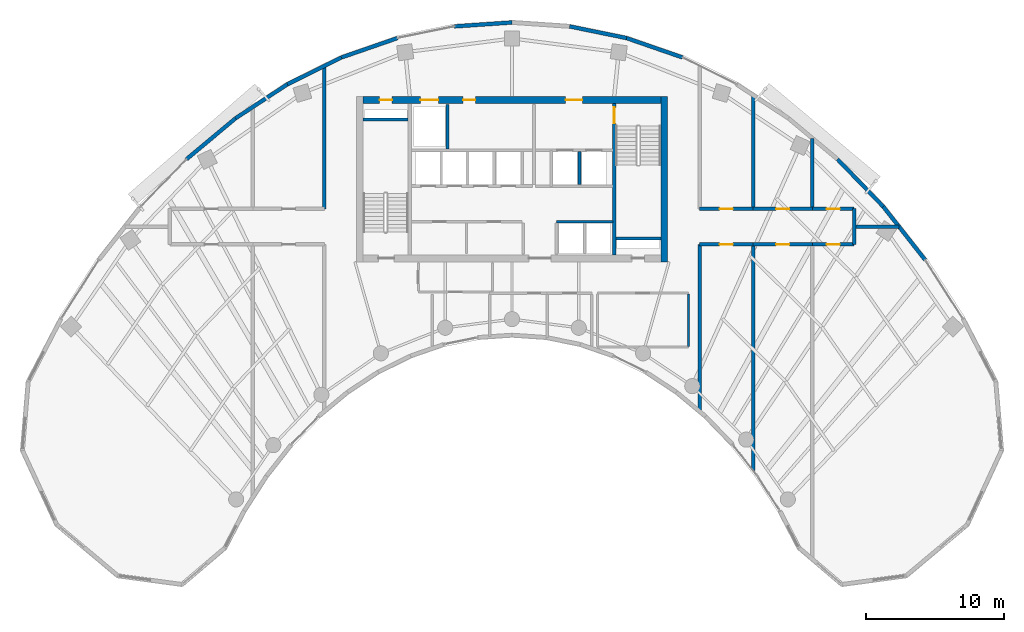
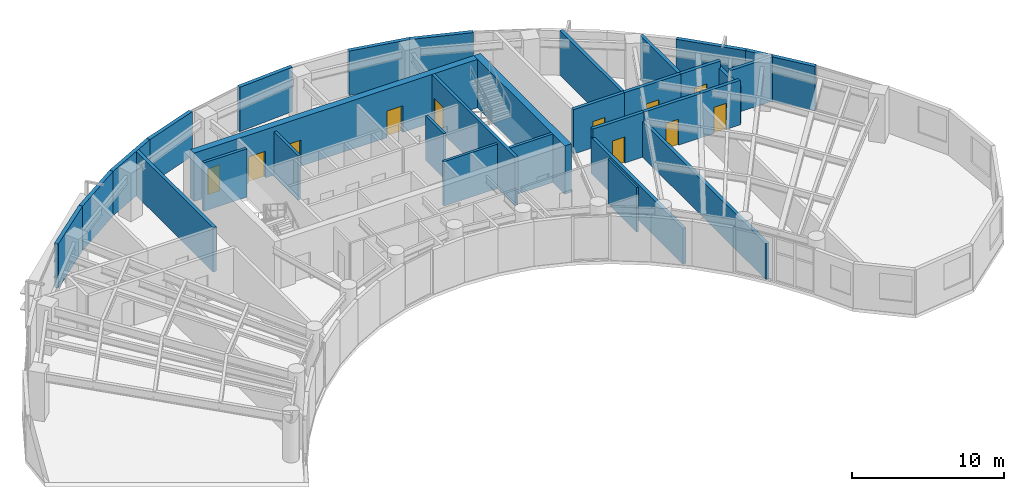
# One storey, part 10 of 13: 31 walls, 11 doors, 11 openings.
"""IFC4 building model written with IfcOpenShell, lengths in metres."""

import ifcopenshell
import ifcopenshell.guid

model = None  # the IFC model being written
_history = None  # IfcOwnerHistory: only IFC2X3 demands one
_inside = {}  # id of a spatial element -> (the spatial element, [elements in it])
_under = {}  # id of a project, library or spatial element -> (it, [spatial elements below it])
_declared = {}  # id of a project -> (the project, [libraries it declares])
_typed = {}  # id of a type object -> (the type object, [elements of that type])
_made_of = {}  # id of a material, layer set ... -> (it, [elements and type objects made of it])


def new_model(schema):
    """Start an empty IFC model of exactly this schema.

    Asked for "IFC4X3", IfcOpenShell would pick the latest addendum, in which some entities
    have other attributes; the version numbers below select the first issue.
    IFC2X3 requires an IfcOwnerHistory on every rooted entity: one is made here for all.
    """
    global model, _history
    if schema == "IFC4X3":
        model = ifcopenshell.file(schema_version=(4, 3, 0, 0))
    else:
        model = ifcopenshell.file(schema=schema)
    _inside.clear()
    _under.clear()
    _declared.clear()
    _typed.clear()
    _made_of.clear()
    _history = None
    if model.schema == "IFC2X3":
        org = make("IfcOrganization", Name="unknown")
        user = make(
            "IfcPersonAndOrganization",
            ThePerson=make("IfcPerson", FamilyName="unknown"),
            TheOrganization=org,
        )
        app = make(
            "IfcApplication",
            ApplicationDeveloper=org,
            Version="unknown",
            ApplicationFullName="unknown",
            ApplicationIdentifier="unknown",
        )
        _history = make(
            "IfcOwnerHistory",
            OwningUser=user,
            OwningApplication=app,
            ChangeAction="ADDED",
            CreationDate=0,
        )
    return model


def make(cls, **values):
    """One entity of the class cls with the attributes given. An attribute that is None is left unset."""
    return model.create_entity(
        cls, **{name: value for name, value in values.items() if value is not None}
    )


def rooted(cls, **values):
    """An entity with a GlobalId (a new one), such as an element, a storey or a relation."""
    return make(cls, GlobalId=ifcopenshell.guid.new(), OwnerHistory=_history, **values)


def si_unit(unit_type, name, prefix=None):
    """IfcSIUnit, for example si_unit("LENGTHUNIT", "METRE", prefix="MILLI")."""
    return make("IfcSIUnit", UnitType=unit_type, Prefix=prefix, Name=name)


def assignment(units):
    """IfcUnitAssignment: the units of a project."""
    return None if units is None else make("IfcUnitAssignment", Units=units)


def point(xyz):
    """IfcCartesianPoint."""
    return None if xyz is None else make("IfcCartesianPoint", Coordinates=xyz)


def direction(xyz):
    """IfcDirection."""
    return None if xyz is None else make("IfcDirection", DirectionRatios=xyz)


def frame(location, z_axis=None, x_axis=None):
    """IfcAxis2Placement3D, a coordinate frame: its origin and axes. An axis left out is left unset."""
    return make(
        "IfcAxis2Placement3D",
        Location=point(location),
        Axis=direction(z_axis),
        RefDirection=direction(x_axis),
    )


def frame_2d(location, x_axis=None):
    """IfcAxis2Placement2D, a coordinate frame in the plane: its origin and x axis."""
    return make(
        "IfcAxis2Placement2D", Location=point(location), RefDirection=direction(x_axis)
    )


def origin():
    """The frame at (0, 0, 0) with its axes left unset."""
    return frame((0.0, 0.0, 0.0))


def place(relative_to, where):
    """IfcLocalPlacement: puts the frame where relative to a parent placement (None: the world)."""
    return make(
        "IfcLocalPlacement", PlacementRelTo=relative_to, RelativePlacement=where
    )


def context(
    kind, dimensions, precision=None, world=None, true_north=None, identifier=None
):
    """IfcGeometricRepresentationContext, for example the 3D "Model" context."""
    return make(
        "IfcGeometricRepresentationContext",
        ContextIdentifier=identifier,
        ContextType=kind,
        CoordinateSpaceDimension=dimensions,
        Precision=precision,
        WorldCoordinateSystem=world,
        TrueNorth=true_north,
    )


def subcontext(parent, identifier, kind, view, scale=None):
    """IfcGeometricRepresentationSubContext, for example "Body" below "Model"."""
    return make(
        "IfcGeometricRepresentationSubContext",
        ContextIdentifier=identifier,
        ContextType=kind,
        ParentContext=parent,
        TargetScale=scale,
        TargetView=view,
    )


def project(units=None, contexts=None):
    """IfcProject with its units and contexts."""
    return rooted(
        "IfcProject",
        Name="project",
        RepresentationContexts=contexts,
        UnitsInContext=assignment(units),
    )


def spatial(cls, under=None, at=None, **own):
    """A site, building, storey or space (cls), placed at a placement, below another one or the project."""
    s = rooted(cls, ObjectPlacement=at, **own)
    if under is not None:
        _under.setdefault(under.id(), (under, []))[1].append(s)
    return s


def profile(cls, at=None, kind="AREA", **sizes):
    """A parametric profile (cls). Its sizes go by their IFC names, for example OverallWidth=200.0."""
    return make(cls, ProfileType=kind, Position=at, **sizes)


def rectangle(**sizes):
    """IfcRectangleProfileDef."""
    return profile("IfcRectangleProfileDef", **sizes)


def extrude(swept, where, along, depth):
    """IfcExtrudedAreaSolid: the profile swept, set in the frame where, extruded along a direction by depth."""
    return make(
        "IfcExtrudedAreaSolid",
        SweptArea=swept,
        Position=where,
        ExtrudedDirection=direction(along),
        Depth=depth,
    )


def shape(context_of_items, identifier, shape_type, items):
    """IfcShapeRepresentation: the items that make up one representation, for example the "Body"."""
    return make(
        "IfcShapeRepresentation",
        ContextOfItems=context_of_items,
        RepresentationIdentifier=identifier,
        RepresentationType=shape_type,
        Items=items,
    )


def source(mapping_origin, context_of_items, identifier, shape_type, items):
    """IfcRepresentationMap: a shape defined once, which mapped items show again and again."""
    return make(
        "IfcRepresentationMap",
        MappingOrigin=mapping_origin,
        MappedRepresentation=shape(context_of_items, identifier, shape_type, items),
    )


def transform(
    local_origin,
    x_axis=None,
    y_axis=None,
    z_axis=None,
    scale=None,
    scale2=None,
    scale3=None,
    uniform=True,
):
    """IfcCartesianTransformationOperator3D, or its non-uniform kind. x_axis, y_axis, z_axis: its Axis1, 2, 3."""
    if uniform:
        return make(
            "IfcCartesianTransformationOperator3D",
            Axis1=direction(x_axis),
            Axis2=direction(y_axis),
            LocalOrigin=point(local_origin),
            Scale=scale,
            Axis3=direction(z_axis),
        )
    return make(
        "IfcCartesianTransformationOperator3DnonUniform",
        Axis1=direction(x_axis),
        Axis2=direction(y_axis),
        LocalOrigin=point(local_origin),
        Scale=scale,
        Axis3=direction(z_axis),
        Scale2=scale2,
        Scale3=scale3,
    )


def mapped(mapping_source, mapping_target):
    """IfcMappedItem: shows the shape of a source again, moved by a transform."""
    return make(
        "IfcMappedItem", MappingSource=mapping_source, MappingTarget=mapping_target
    )


def material(Name=None, Category=None):
    """IfcMaterial."""
    return make("IfcMaterial", Name=Name, Category=Category)


def layer(
    of_material, thickness, ventilated=None, Name=None, Category=None, Priority=None
):
    """IfcMaterialLayer: one layer of a wall or slab, of a material (None: an air gap)."""
    return make(
        "IfcMaterialLayer",
        Material=of_material,
        LayerThickness=thickness,
        IsVentilated=ventilated,
        Name=Name,
        Category=Category,
        Priority=Priority,
    )


def layer_set(layers, Name=None):
    """IfcMaterialLayerSet."""
    return make("IfcMaterialLayerSet", MaterialLayers=layers, LayerSetName=Name)


def made_of(thing, what):
    """Note that an element or type object is made of a material, layer set ...; save() writes the relation."""
    if what is not None:
        _made_of.setdefault(what.id(), (what, []))[1].append(thing)
    return thing


def type_object(cls, material=None, **own):
    """A type object (cls), such as IfcWallType, which elements share."""
    return made_of(rooted(cls, **own), material)


def type_shapes(of_type, sources):
    """Give a type object the sources (RepresentationMaps) that its elements show as mapped items."""
    of_type.RepresentationMaps = sources


def element(
    cls,
    number,
    at=None,
    inside=None,
    cuts=None,
    type_object=None,
    material=None,
    context=None,
    identifier="Body",
    shape_type=None,
    held_by="IfcProductDefinitionShape",
    body=None,
    shapes=None,
    **own,
):
    """One element of the class cls, such as IfcWall. Its Tag is "e" and its number.

    at: its placement. inside: the storey or other place that contains it. cuts: it is an
    opening in that element (IfcRelVoidsElement). A single representation is given by context,
    identifier, shape_type and body (its items); several are given by shapes. held_by: the class
    of the entity that holds the representations. save() writes the other relations.
    """
    e = rooted(cls, Tag="e%d" % number, ObjectPlacement=at, **own)
    if body is not None:
        shapes = [shape(context, identifier, shape_type, body)]
    if shapes is not None:
        e.Representation = make(held_by, Representations=shapes)
    if inside is not None:
        _inside.setdefault(inside.id(), (inside, []))[1].append(e)
    if cuts is not None:
        rooted(
            "IfcRelVoidsElement", RelatingBuildingElement=cuts, RelatedOpeningElement=e
        )
    if type_object is not None:
        _typed.setdefault(type_object.id(), (type_object, []))[1].append(e)
    return made_of(e, material)


def fill(opening, filler):
    """IfcRelFillsElement: the door or window that sits in an opening."""
    return rooted(
        "IfcRelFillsElement",
        RelatingOpeningElement=opening,
        RelatedBuildingElement=filler,
    )


def aggregate(whole, parts):
    """IfcRelAggregates: a whole, such as a stair, and the parts it consists of."""
    return rooted("IfcRelAggregates", RelatingObject=whole, RelatedObjects=parts)


def save(model, path):
    """Write the relations noted so far, then the file.

    IfcRelAggregates (storeys below a building ...), IfcRelContainedInSpatialStructure (elements
    in a storey), IfcRelDefinesByType, IfcRelAssociatesMaterial and IfcRelDeclares: one each for
    every whole, place, type object, material and project.
    """
    for whole, parts in _under.values():
        aggregate(whole, parts)
    for where, things in _inside.values():
        rooted(
            "IfcRelContainedInSpatialStructure",
            RelatedElements=things,
            RelatingStructure=where,
        )
    for kind, things in _typed.values():
        rooted("IfcRelDefinesByType", RelatedObjects=things, RelatingType=kind)
    for what, things in _made_of.values():
        rooted("IfcRelAssociatesMaterial", RelatedObjects=things, RelatingMaterial=what)
    for by, libraries in _declared.values():
        rooted("IfcRelDeclares", RelatingContext=by, RelatedDefinitions=libraries)
    model.write(path)


model = new_model("IFC4")

# Units and contexts
model_context = context("Model", 3, precision=1e-05, world=origin(), true_north=direction((0.0, 1.0)))
body_context = subcontext(model_context, "Body", "Model", "MODEL_VIEW")
ifc_project = project(units=[si_unit("LENGTHUNIT", "METRE"), si_unit("AREAUNIT", "SQUARE_METRE"), si_unit("VOLUMEUNIT", "CUBIC_METRE"), si_unit("PLANEANGLEUNIT", "RADIAN"), si_unit("MASSUNIT", "GRAM", prefix="KILO")], contexts=[model_context])

# Site, building, storey
site_placement = place(None, origin())
site = spatial("IfcSite", under=ifc_project, at=site_placement, CompositionType="ELEMENT")
building_placement = place(site_placement, origin())
building = spatial("IfcBuilding", under=site, at=building_placement, Name="Breltana Convention Tower", CompositionType="ELEMENT")
storey_placement = place(building_placement, frame((0.0, 0.0, 185.699951171875)))
storey = spatial("IfcBuildingStorey", under=building, at=storey_placement, Name="L45", CompositionType="ELEMENT", Elevation=185.699951171875)

# Wall
ifc_material_1 = material(Name="Concrete C60/75", Category="concrete")
ifc_layer_1 = layer(ifc_material_1, 0.5, Name="Concrete C60/75")
ifc_layer_set_1 = layer_set([ifc_layer_1], Name="Concrete C60/75")
wall_type_1 = type_object("IfcWallType", Name="SW-CORE-500", PredefinedType="SHEAR", material=ifc_layer_set_1)
shared_shape_1 = source(origin(), body_context, "Body", "SweptSolid", [
    extrude(rectangle(XDim=12.0, YDim=0.5, at=frame_2d((6.0, 0.0))), origin(), (0.0, 0.0, 1.0), 3.900146484375),
])
wall_1_placement = place(storey_placement, frame((59.050048828125, 60.199951171875, 0.0), z_axis=(0.0, 0.0, 1.0), x_axis=(0.0, 1.0, 0.0)))
element("IfcWall", 1, at=wall_1_placement, inside=storey, type_object=wall_type_1, Name="L45 East Core Shear Wall", PredefinedType="SHEAR", context=body_context, shape_type="MappedRepresentation", body=[
    mapped(shared_shape_1, transform((0.0, 0.0, 0.0), scale=1.0)),
])

# Wall, openings, doors
shared_shape_2 = source(origin(), body_context, "Body", "SweptSolid", [
    extrude(rectangle(XDim=21.60009765625, YDim=0.5, at=frame_2d((10.800048828125, 0.0))), origin(), (0.0, 0.0, 1.0), 3.900146484375),
])
wall_2_placement = place(storey_placement, frame((37.199951171875, 71.949951171875, 0.0), z_axis=(0.0, 0.0, 1.0), x_axis=(1.0, 0.0, 0.0)))
wall_2 = element("IfcWall", 2, at=wall_2_placement, inside=storey, type_object=wall_type_1, Name="L45 North Core Shear Wall", PredefinedType="SHEAR", context=body_context, shape_type="MappedRepresentation", body=[
    mapped(shared_shape_2, transform((0.0, 0.0, 0.0), scale=1.0)),
])
opening_1_placement = place(wall_2_placement, frame((1.199951171875, 0.0, 0.0)))
opening_1 = element("IfcOpeningElement", 3, at=opening_1_placement, cuts=wall_2, Name="Opening D-18", PredefinedType="OPENING", context=body_context, shape_type="SweptSolid", body=[
    extrude(rectangle(XDim=0.89990234375, YDim=2.10009765625, at=frame_2d((0.449951171875, 1.050048828125))), frame((0.0, 0.260009765625, 0.0), z_axis=(0.0, -1.0, 0.0), x_axis=(1.0, 0.0, 0.0)), (0.0, 0.0, 1.0), 0.52001953125),
])
opening_2_placement = place(wall_2_placement, frame((14.699951171875, 0.0, 0.0)))
opening_2 = element("IfcOpeningElement", 4, at=opening_2_placement, cuts=wall_2, Name="Opening D-09", PredefinedType="OPENING", context=body_context, shape_type="SweptSolid", body=[
    extrude(rectangle(XDim=1.199951171875, YDim=2.14990234375, at=frame_2d((0.60009765625, 1.074951171875))), frame((0.0, 0.260009765625, 0.0), z_axis=(0.0, -1.0, 0.0), x_axis=(1.0, 0.0, 0.0)), (0.0, 0.0, 1.0), 0.52001953125),
])
opening_3_placement = place(wall_2_placement, frame((4.14990234375, 0.0, 0.0)))
opening_3 = element("IfcOpeningElement", 5, at=opening_3_placement, cuts=wall_2, Name="Opening LD-01", PredefinedType="OPENING", context=body_context, shape_type="SweptSolid", body=[
    extrude(rectangle(XDim=1.300048828125, YDim=2.14990234375, at=frame_2d((0.64990234375, 1.074951171875))), frame((0.0, 0.260009765625, 0.0), z_axis=(0.0, -1.0, 0.0), x_axis=(1.0, 0.0, 0.0)), (0.0, 0.0, 1.0), 0.52001953125),
])
opening_4_placement = place(wall_2_placement, frame((7.25, 0.0, 0.0)))
opening_4 = element("IfcOpeningElement", 6, at=opening_4_placement, cuts=wall_2, Name="Opening D-18", PredefinedType="OPENING", context=body_context, shape_type="SweptSolid", body=[
    extrude(rectangle(XDim=0.89990234375, YDim=2.10009765625, at=frame_2d((0.449951171875, 1.050048828125))), frame((0.0, 0.260009765625, 0.0), z_axis=(0.0, -1.0, 0.0), x_axis=(1.0, 0.0, 0.0)), (0.0, 0.0, 1.0), 0.52001953125),
])
ifc_material_2 = material(Name="Steel Riser Fire Door", Category="steel")
door_type_1 = type_object("IfcDoorType", Name="DR-FD60-900", OperationType="NOTDEFINED", PredefinedType="DOOR", material=ifc_material_2)
shared_shape_3 = source(origin(), body_context, "Body", "SweptSolid", [
    extrude(rectangle(XDim=0.89990234375, YDim=2.10009765625, at=frame_2d((0.449951171875, 1.050048828125))), frame((0.0, 0.02490234375, 0.0), z_axis=(0.0, -1.0, 0.0), x_axis=(1.0, 0.0, 0.0)), (0.0, 0.0, 1.0), 0.050048828125),
])
type_shapes(door_type_1, [shared_shape_3])
door_1_placement = place(opening_1_placement, origin())
door_1 = element("IfcDoor", 7, at=door_1_placement, inside=storey, type_object=door_type_1, Name="L45 Core Riser Access Door D-L45-RS1", OperationType="SINGLE_SWING_LEFT", OverallHeight=2.10009765625, OverallWidth=0.89990234375, PredefinedType="DOOR", context=body_context, shape_type="MappedRepresentation", body=[
    mapped(shared_shape_3, transform((0.0, 0.0, 0.0), scale=1.0)),
])
fill(opening_1, door_1)
door_2_placement = place(opening_4_placement, origin())
door_2 = element("IfcDoor", 8, at=door_2_placement, inside=storey, type_object=door_type_1, Name="L45 interior door D-L45-CRA1", OperationType="SINGLE_SWING_LEFT", OverallHeight=2.10009765625, OverallWidth=0.89990234375, PredefinedType="DOOR", context=body_context, shape_type="MappedRepresentation", body=[
    mapped(shared_shape_3, transform((0.0, 0.0, 0.0), scale=1.0)),
])
fill(opening_4, door_2)
ifc_material_3 = material(Name="Steel Fire Lobby Door", Category="steel")
door_type_2 = type_object("IfcDoorType", Name="DR-FD120-1200", OperationType="NOTDEFINED", PredefinedType="DOOR", material=ifc_material_3)
shared_shape_4 = source(origin(), body_context, "Body", "SweptSolid", [
    extrude(rectangle(XDim=1.199951171875, YDim=2.14990234375, at=frame_2d((0.60009765625, 1.074951171875))), frame((0.0, 0.02490234375, 0.0), z_axis=(0.0, -1.0, 0.0), x_axis=(1.0, 0.0, 0.0)), (0.0, 0.0, 1.0), 0.050048828125),
])
type_shapes(door_type_2, [shared_shape_4])
door_3_placement = place(opening_2_placement, origin())
door_3 = element("IfcDoor", 9, at=door_3_placement, inside=storey, type_object=door_type_2, Name="L45 interior door D-L45-FFL-N", OperationType="SINGLE_SWING_RIGHT", OverallHeight=2.14990234375, OverallWidth=1.199951171875, PredefinedType="DOOR", context=body_context, shape_type="MappedRepresentation", body=[
    mapped(shared_shape_4, transform((0.0, 0.0, 0.0), scale=1.0)),
])
fill(opening_2, door_3)
ifc_material_4 = material(Name="Stainless Steel Brushed", Category="steel")
door_type_3 = type_object("IfcDoorType", Name="DR-LD-SRV-1300", OperationType="DOUBLE_DOOR_SLIDING", PredefinedType="DOOR", material=ifc_material_4)
shared_shape_5 = source(origin(), body_context, "Body", "SweptSolid", [
    extrude(rectangle(XDim=1.300048828125, YDim=2.14990234375, at=frame_2d((0.64990234375, 1.074951171875))), frame((0.0, 0.02490234375, 0.0), z_axis=(0.0, -1.0, 0.0), x_axis=(1.0, 0.0, 0.0)), (0.0, 0.0, 1.0), 0.050048828125),
])
type_shapes(door_type_3, [shared_shape_5])
door_4_placement = place(opening_3_placement, origin())
door_4 = element("IfcDoor", 10, at=door_4_placement, inside=storey, type_object=door_type_3, Name="L45 Lift Landing Door D-L45-LD-SV1", OperationType="DOUBLE_DOOR_SLIDING", OverallHeight=2.14990234375, OverallWidth=1.300048828125, PredefinedType="DOOR", context=body_context, shape_type="MappedRepresentation", body=[
    mapped(shared_shape_5, transform((0.0, 0.0, 0.0), scale=1.0)),
])
fill(opening_3, door_4)

# Walls
ifc_material_5 = material(Name="Concrete C50/60", Category="concrete")
ifc_layer_2 = layer(ifc_material_5, 0.39990234375, Name="Concrete C50/60")
ifc_layer_set_2 = layer_set([ifc_layer_2], Name="Concrete C50/60")
wall_type_2 = type_object("IfcWallType", Name="SW-CORE-400", PredefinedType="SHEAR", material=ifc_layer_set_2)
shared_shape_6 = source(origin(), body_context, "Body", "SweptSolid", [
    extrude(rectangle(XDim=3.27001953125, YDim=0.219970703125, at=frame_2d((1.635009765625, 0.0))), origin(), (0.0, 0.0, 1.0), 3.900146484375),
])
for number, where, z_axis, x_axis, name in (
    (11, (37.199951171875, 70.510009765625, 0.0), (0.0, 0.0, 1.0), (1.0, 0.0, 0.0), "L45 ST-1 Stairwell North Bearing Wall"),
    (12, (55.530029296875, 61.889892578125, 0.0), (0.0, 0.0, 1.0), (1.0, 0.0, 0.0), "L45 ST-2 Stairwell South Bearing Wall"),
):
    element("IfcWall", number, at=place(storey_placement, frame(where, z_axis=z_axis, x_axis=x_axis)), inside=storey, type_object=wall_type_2, Name=name, PredefinedType="SHEAR", context=body_context, shape_type="MappedRepresentation", body=[
        mapped(shared_shape_6, transform((0.0, 0.0, 0.0), scale=1.0)),
    ])

# Wall, opening, door
shared_shape_7 = source(origin(), body_context, "Body", "SweptSolid", [
    extrude(rectangle(XDim=11.0, YDim=0.219970703125, at=frame_2d((5.5, 0.0))), origin(), (0.0, 0.0, 1.0), 3.900146484375),
])
wall_3_placement = place(storey_placement, frame((55.419921875, 60.699951171875, 0.0), z_axis=(0.0, 0.0, 1.0), x_axis=(0.0, 1.0, 0.0)))
wall_3 = element("IfcWall", 13, at=wall_3_placement, inside=storey, type_object=wall_type_2, Name="L45 Core East Stair Spine Wall", PredefinedType="SHEAR", context=body_context, shape_type="MappedRepresentation", body=[
    mapped(shared_shape_7, transform((0.0, 0.0, 0.0), scale=1.0)),
])
opening_5_placement = place(wall_3_placement, frame((9.544921875, 0.0, 0.0)))
opening_5 = element("IfcOpeningElement", 14, at=opening_5_placement, cuts=wall_3, Name="Opening D-11", PredefinedType="OPENING", context=body_context, shape_type="SweptSolid", body=[
    extrude(rectangle(XDim=1.14990234375, YDim=2.14990234375, at=frame_2d((0.574951171875, 1.074951171875))), frame((0.0, 0.1201171875, 0.0), z_axis=(0.0, -1.0, 0.0), x_axis=(1.0, 0.0, 0.0)), (0.0, 0.0, 1.0), 0.239990234375),
])
ifc_material_6 = material(Name="Steel Stair Exit Door", Category="steel")
door_type_4 = type_object("IfcDoorType", Name="DR-FD120-1150", OperationType="NOTDEFINED", PredefinedType="DOOR", material=ifc_material_6)
shared_shape_8 = source(origin(), body_context, "Body", "SweptSolid", [
    extrude(rectangle(XDim=1.14990234375, YDim=2.14990234375, at=frame_2d((0.574951171875, 1.074951171875))), frame((0.0, 0.02490234375, 0.0), z_axis=(0.0, -1.0, 0.0), x_axis=(1.0, 0.0, 0.0)), (0.0, 0.0, 1.0), 0.050048828125),
])
type_shapes(door_type_4, [shared_shape_8])
door_5_placement = place(opening_5_placement, origin())
door_5 = element("IfcDoor", 15, at=door_5_placement, inside=storey, type_object=door_type_4, Name="L45 interior door D-L45-ST2", OperationType="SINGLE_SWING_LEFT", OverallHeight=2.14990234375, OverallWidth=1.14990234375, PredefinedType="DOOR", context=body_context, shape_type="MappedRepresentation", body=[
    mapped(shared_shape_8, transform((0.0, 0.0, 0.0), scale=1.0)),
])
fill(opening_5, door_5)

# Walls
ifc_material_7 = material(Name="Limestone Buff Insulated Wall", Category="masonry")
ifc_layer_3 = layer(ifc_material_7, 0.280029296875, Name="Limestone Buff Insulated Wall")
ifc_layer_set_3 = layer_set([ifc_layer_3], Name="Limestone Buff Insulated Wall")
wall_type_3 = type_object("IfcWallType", Name="WL-EXT-NOSE-280", PredefinedType="SOLIDWALL", material=ifc_layer_set_3)
shared_shape_9 = source(origin(), body_context, "Body", "SweptSolid", [
    extrude(rectangle(XDim=4.921630859375, YDim=0.280029296875, at=frame_2d((2.4609375, 0.0))), origin(), (0.0, 0.0, 1.0), 3.580078125),
])
wall_4_placement = place(storey_placement, frame((74.936279296875, 64.206298828125, 0.0), z_axis=(0.0, 0.0, 1.0), x_axis=(0.61817639101, -0.786039407153, 0.0)))
element("IfcWall", 16, at=wall_4_placement, inside=storey, type_object=wall_type_3, Name="L45 curved limestone nose wall E32", PredefinedType="SOLIDWALL", context=body_context, shape_type="MappedRepresentation", body=[
    mapped(shared_shape_9, transform((0.0, 0.0, 0.0), scale=1.0)),
])
shared_shape_10 = source(origin(), body_context, "Body", "SweptSolid", [
    extrude(rectangle(XDim=4.633544921875, YDim=0.280029296875, at=frame_2d((2.31689453125, 0.0))), origin(), (0.0, 0.0, 1.0), 3.580078125),
])
wall_5_placement = place(storey_placement, frame((24.381103515625, 67.64208984375, 0.0), z_axis=(0.0, 0.0, 1.0), x_axis=(0.767910229096, 0.640557475993, 0.0)))
element("IfcWall", 17, at=wall_5_placement, inside=storey, type_object=wall_type_3, Name="L45 curved limestone nose wall E21", PredefinedType="SOLIDWALL", context=body_context, shape_type="MappedRepresentation", body=[
    mapped(shared_shape_10, transform((0.0, 0.0, 0.0), scale=1.0)),
])
shared_shape_11 = source(origin(), body_context, "Body", "SweptSolid", [
    extrude(rectangle(XDim=4.500732421875, YDim=0.280029296875, at=frame_2d((2.25048828125, 0.0))), origin(), (0.0, 0.0, 1.0), 3.580078125),
])
wall_6_placement = place(storey_placement, frame((27.939208984375, 70.610107421875, 0.0), z_axis=(0.0, 0.0, 1.0), x_axis=(0.835984920737, 0.548752414391, 0.0)))
element("IfcWall", 18, at=wall_6_placement, inside=storey, type_object=wall_type_3, Name="L45 curved limestone nose wall E22", PredefinedType="SOLIDWALL", context=body_context, shape_type="MappedRepresentation", body=[
    mapped(shared_shape_11, transform((0.0, 0.0, 0.0), scale=1.0)),
])
shared_shape_12 = source(origin(), body_context, "Body", "SweptSolid", [
    extrude(rectangle(XDim=4.384033203125, YDim=0.280029296875, at=frame_2d((2.19189453125, 0.0))), origin(), (0.0, 0.0, 1.0), 3.580078125),
])
wall_7_placement = place(storey_placement, frame((31.70166015625, 73.079833984375, 0.0), z_axis=(0.0, 0.0, 1.0), x_axis=(0.895969968053, 0.444114643248, 0.0)))
element("IfcWall", 19, at=wall_7_placement, inside=storey, type_object=wall_type_3, Name="L45 curved limestone nose wall E23", PredefinedType="SOLIDWALL", context=body_context, shape_type="MappedRepresentation", body=[
    mapped(shared_shape_12, transform((0.0, 0.0, 0.0), scale=1.0)),
])
shared_shape_13 = source(origin(), body_context, "Body", "SweptSolid", [
    extrude(rectangle(XDim=4.289794921875, YDim=0.280029296875, at=frame_2d((2.14501953125, 0.0))), origin(), (0.0, 0.0, 1.0), 3.580078125),
])
for number, where, z_axis, x_axis, name in (
    (20, (35.629638671875, 75.02685546875, 0.0), (0.0, 0.0, 1.0), (0.944883859218, 0.3274057003, 0.0), "L45 curved limestone nose wall E24"),
    (21, (56.31689453125, 76.431396484375, 0.0), (0.0, 0.0, 1.0), (0.944883859218, -0.3274057003, 0.0), "L45 curved limestone nose wall E28"),
):
    element("IfcWall", number, at=place(storey_placement, frame(where, z_axis=z_axis, x_axis=x_axis)), inside=storey, type_object=wall_type_3, Name=name, PredefinedType="SOLIDWALL", context=body_context, shape_type="MappedRepresentation", body=[
        mapped(shared_shape_13, transform((0.0, 0.0, 0.0), scale=1.0)),
    ])
shared_shape_14 = source(origin(), body_context, "Body", "SweptSolid", [
    extrude(rectangle(XDim=4.189208984375, YDim=0.280029296875, at=frame_2d((2.0947265625, 0.0))), origin(), (0.0, 0.0, 1.0), 3.580078125),
])
wall_8_placement = place(storey_placement, frame((43.8203125, 77.27978515625, 0.0), z_axis=(0.0, 0.0, 1.0), x_axis=(0.997700560699, 0.067776036921, 0.0)))
element("IfcWall", 22, at=wall_8_placement, inside=storey, type_object=wall_type_3, Name="L45 curved limestone nose wall E25", PredefinedType="SOLIDWALL", context=body_context, shape_type="MappedRepresentation", body=[
    mapped(shared_shape_14, transform((0.0, 0.0, 0.0), scale=1.0)),
])
shared_shape_15 = source(origin(), body_context, "Body", "SweptSolid", [
    extrude(rectangle(XDim=4.223388671875, YDim=0.280029296875, at=frame_2d((2.11181640625, 0.0))), origin(), (0.0, 0.0, 1.0), 3.580078125),
])
wall_9_placement = place(storey_placement, frame((52.1796875, 77.27978515625, 0.0), z_axis=(0.0, 0.0, 1.0), x_axis=(0.979615245085, -0.200882979858, 0.0)))
element("IfcWall", 23, at=wall_9_placement, inside=storey, type_object=wall_type_3, Name="L45 curved limestone nose wall E27", PredefinedType="SOLIDWALL", context=body_context, shape_type="MappedRepresentation", body=[
    mapped(shared_shape_15, transform((0.0, 0.0, 0.0), scale=1.0)),
])
shared_shape_16 = source(origin(), body_context, "Body", "SweptSolid", [
    extrude(rectangle(XDim=4.77587890625, YDim=0.280029296875, at=frame_2d((2.387939453125, 0.0))), origin(), (0.0, 0.0, 1.0), 3.580078125),
])
wall_10_placement = place(storey_placement, frame((71.618896484375, 67.64208984375, 0.0), z_axis=(0.0, 0.0, 1.0), x_axis=(0.694601811851, -0.719394414055, 0.0)))
element("IfcWall", 24, at=wall_10_placement, inside=storey, type_object=wall_type_3, Name="L45 curved limestone nose wall E31", PredefinedType="SOLIDWALL", context=body_context, shape_type="MappedRepresentation", body=[
    mapped(shared_shape_16, transform((0.0, 0.0, 0.0), scale=1.0)),
])
ifc_material_8 = material(Name="Autoclaved Aerated Concrete Block", Category="concrete")
ifc_layer_4 = layer(ifc_material_8, 0.199951171875, Name="Autoclaved Aerated Concrete Block")
ifc_layer_set_4 = layer_set([ifc_layer_4], Name="Autoclaved Aerated Concrete Block")
wall_type_4 = type_object("IfcWallType", Name="WL-SHAFT-200", PredefinedType="SOLIDWALL", material=ifc_layer_set_4)
shared_shape_17 = source(origin(), body_context, "Body", "SweptSolid", [
    extrude(rectangle(XDim=2.39990234375, YDim=0.199951171875, at=frame_2d((1.199951171875, 0.0))), origin(), (0.0, 0.0, 1.0), 3.580078125),
])
wall_11_placement = place(storey_placement, frame((52.89990234375, 65.800048828125, 0.0), z_axis=(0.0, 0.0, 1.0), x_axis=(0.0, 1.0, 0.0)))
element("IfcWall", 25, at=wall_11_placement, inside=storey, type_object=wall_type_4, Name="L45 interior partition W-L45-FL-DIV", PredefinedType="SOLIDWALL", context=body_context, shape_type="MappedRepresentation", body=[
    mapped(shared_shape_17, transform((0.0, 0.0, 0.0), scale=1.0)),
])
shared_shape_18 = source(origin(), body_context, "Body", "SweptSolid", [
    extrude(rectangle(XDim=3.2001953125, YDim=0.199951171875, at=frame_2d((1.60009765625, 0.0))), origin(), (0.0, 0.0, 1.0), 3.580078125),
])
wall_12_placement = place(storey_placement, frame((43.320068359375, 68.39990234375, 0.0), z_axis=(0.0, 0.0, 1.0), x_axis=(0.0, 1.0, 0.0)))
element("IfcWall", 26, at=wall_12_placement, inside=storey, type_object=wall_type_4, Name="L45 interior partition W-L45-SV-E", PredefinedType="SOLIDWALL", context=body_context, shape_type="MappedRepresentation", body=[
    mapped(shared_shape_18, transform((0.0, 0.0, 0.0), scale=1.0)),
])
shared_shape_19 = source(origin(), body_context, "Body", "SweptSolid", [
    extrude(rectangle(XDim=4.10009765625, YDim=0.199951171875, at=frame_2d((2.050048828125, 0.0))), origin(), (0.0, 0.0, 1.0), 3.580078125),
])
wall_13_placement = place(storey_placement, frame((51.219970703125, 63.10009765625, 0.0), z_axis=(0.0, 0.0, 1.0), x_axis=(1.0, 0.0, 0.0)))
element("IfcWall", 27, at=wall_13_placement, inside=storey, type_object=wall_type_4, Name="L45 interior partition W-L45-SH-X-FRONT", PredefinedType="SOLIDWALL", context=body_context, shape_type="MappedRepresentation", body=[
    mapped(shared_shape_19, transform((0.0, 0.0, 0.0), scale=1.0)),
])
ifc_material_9 = material(Name="Gypsum Acoustic Drywall Partition")
ifc_layer_5 = layer(ifc_material_9, 0.14990234375, Name="Gypsum Acoustic Drywall Partition")
ifc_layer_set_5 = layer_set([ifc_layer_5], Name="Gypsum Acoustic Drywall Partition")
wall_type_5 = type_object("IfcWallType", Name="WL-PART-150", PredefinedType="PARTITIONING", material=ifc_layer_set_5)
shared_shape_20 = source(origin(), body_context, "Body", "SweptSolid", [
    extrude(rectangle(XDim=3.78515625, YDim=0.14990234375, at=frame_2d((1.892578125, 0.0))), origin(), (0.0, 0.0, 1.0), 3.580078125),
])
wall_14_placement = place(storey_placement, frame((60.800048828125, 54.0673828125, 0.0), z_axis=(0.0, 0.0, 1.0), x_axis=(0.0, 1.0, 0.0)))
element("IfcWall", 28, at=wall_14_placement, inside=storey, type_object=wall_type_5, Name="L45 interior partition W-L45-PNT-E", PredefinedType="PARTITIONING", context=body_context, shape_type="MappedRepresentation", body=[
    mapped(shared_shape_20, transform((0.0, 0.0, 0.0), scale=1.0)),
])
ifc_material_10 = material(Name="Gypsum Acoustic Double Stud Wall")
ifc_layer_6 = layer(ifc_material_10, 0.25, Name="Gypsum Acoustic Double Stud Wall")
ifc_layer_set_6 = layer_set([ifc_layer_6], Name="Gypsum Acoustic Double Stud Wall")
wall_type_6 = type_object("IfcWallType", Name="WL-ACOUSTIC-250", PredefinedType="PARTITIONING", material=ifc_layer_set_6)
shared_shape_21 = source(origin(), body_context, "Body", "SweptSolid", [
    extrude(rectangle(XDim=10.346435546875, YDim=0.25, at=frame_2d((5.17333984375, 0.0))), origin(), (0.0, 0.0, 1.0), 3.580078125),
])
wall_15_placement = place(storey_placement, frame((34.360107421875, 64.0400390625, 0.0), z_axis=(0.0, 0.0, 1.0), x_axis=(0.0, 1.0, 0.0)))
element("IfcWall", 29, at=wall_15_placement, inside=storey, type_object=wall_type_6, Name="L45 interior partition W-L45-ZODD-WN", PredefinedType="PARTITIONING", context=body_context, shape_type="MappedRepresentation", body=[
    mapped(shared_shape_21, transform((0.0, 0.0, 0.0), scale=1.0)),
])

# Wall, opening, door
shared_shape_22 = source(origin(), body_context, "Body", "SweptSolid", [
    extrude(rectangle(XDim=3.89990234375, YDim=0.25, at=frame_2d((1.949951171875, 0.0))), origin(), (0.0, 0.0, 1.0), 3.580078125),
])
wall_16_placement = place(storey_placement, frame((61.60009765625, 64.0400390625, 0.0), z_axis=(0.0, 0.0, 1.0), x_axis=(1.0, 0.0, 0.0)))
wall_16 = element("IfcWall", 30, at=wall_16_placement, inside=storey, type_object=wall_type_6, Name="L45 interior partition W-L45-ZEN1-D", PredefinedType="PARTITIONING", context=body_context, shape_type="MappedRepresentation", body=[
    mapped(shared_shape_22, transform((0.0, 0.0, 0.0), scale=1.0)),
])
opening_6_placement = place(wall_16_placement, frame((1.47509765625, 0.0, 0.0)))
opening_6 = element("IfcOpeningElement", 31, at=opening_6_placement, cuts=wall_16, Name="Opening D-17", PredefinedType="OPENING", context=body_context, shape_type="SweptSolid", body=[
    extrude(rectangle(XDim=0.949951171875, YDim=2.10009765625, at=frame_2d((0.47509765625, 1.050048828125))), frame((0.0, 0.135009765625, 0.0), z_axis=(0.0, -1.0, 0.0), x_axis=(1.0, 0.0, 0.0)), (0.0, 0.0, 1.0), 0.27001953125),
])
ifc_material_11 = material(Name="Timber Oak Veneer Door", Category="wood")
door_type_5 = type_object("IfcDoorType", Name="DR-INT-950", OperationType="NOTDEFINED", PredefinedType="DOOR", material=ifc_material_11)
shared_shape_23 = source(origin(), body_context, "Body", "SweptSolid", [
    extrude(rectangle(XDim=0.949951171875, YDim=2.10009765625, at=frame_2d((0.47509765625, 1.050048828125))), frame((0.0, 0.02490234375, 0.0), z_axis=(0.0, -1.0, 0.0), x_axis=(1.0, 0.0, 0.0)), (0.0, 0.0, 1.0), 0.050048828125),
])
type_shapes(door_type_5, [shared_shape_23])
door_6_placement = place(opening_6_placement, origin())
door_6 = element("IfcDoor", 32, at=door_6_placement, inside=storey, type_object=door_type_5, Name="L45 interior door D-L45-ZEN1", OperationType="SINGLE_SWING_LEFT", OverallHeight=2.10009765625, OverallWidth=0.949951171875, PredefinedType="DOOR", context=body_context, shape_type="MappedRepresentation", body=[
    mapped(shared_shape_23, transform((0.0, 0.0, 0.0), scale=1.0)),
])
fill(opening_6, door_6)

wall_17_placement = place(storey_placement, frame((61.60009765625, 61.4599609375, 0.0), z_axis=(0.0, 0.0, 1.0), x_axis=(1.0, 0.0, 0.0)))
wall_17 = element("IfcWall", 33, at=wall_17_placement, inside=storey, type_object=wall_type_6, Name="L45 interior partition W-L45-ZES1-D", PredefinedType="PARTITIONING", context=body_context, shape_type="MappedRepresentation", body=[
    mapped(shared_shape_22, transform((0.0, 0.0, 0.0), scale=1.0)),
])
opening_7_placement = place(wall_17_placement, frame((1.47509765625, 0.0, 0.0)))
opening_7 = element("IfcOpeningElement", 34, at=opening_7_placement, cuts=wall_17, Name="Opening D-17", PredefinedType="OPENING", context=body_context, shape_type="SweptSolid", body=[
    extrude(rectangle(XDim=0.949951171875, YDim=2.10009765625, at=frame_2d((0.47509765625, 1.050048828125))), frame((0.0, 0.135009765625, 0.0), z_axis=(0.0, -1.0, 0.0), x_axis=(1.0, 0.0, 0.0)), (0.0, 0.0, 1.0), 0.27001953125),
])
door_7_placement = place(opening_7_placement, origin())
door_7 = element("IfcDoor", 35, at=door_7_placement, inside=storey, type_object=door_type_5, Name="L45 interior door D-L45-ZES1", OperationType="SINGLE_SWING_RIGHT", OverallHeight=2.10009765625, OverallWidth=0.949951171875, PredefinedType="DOOR", context=body_context, shape_type="MappedRepresentation", body=[
    mapped(shared_shape_23, transform((0.0, 0.0, 0.0), scale=1.0)),
])
fill(opening_7, door_7)

# Wall
shared_shape_24 = source(origin(), body_context, "Body", "SweptSolid", [
    extrude(rectangle(XDim=8.218994140625, YDim=0.25, at=frame_2d((4.109375, 0.0))), origin(), (0.0, 0.0, 1.0), 3.580078125),
])
wall_18_placement = place(storey_placement, frame((65.5, 64.06005859375, 0.0), z_axis=(0.0, 0.0, 1.0), x_axis=(0.0, 1.0, 0.0)))
element("IfcWall", 36, at=wall_18_placement, inside=storey, type_object=wall_type_6, Name="L45 interior partition W-L45-ZEN1-E", PredefinedType="PARTITIONING", context=body_context, shape_type="MappedRepresentation", body=[
    mapped(shared_shape_24, transform((0.0, 0.0, 0.0), scale=1.0)),
])

# Wall, opening, door
shared_shape_25 = source(origin(), body_context, "Body", "SweptSolid", [
    extrude(rectangle(XDim=4.300048828125, YDim=0.25, at=frame_2d((2.14990234375, 0.0))), origin(), (0.0, 0.0, 1.0), 3.580078125),
])
wall_19_placement = place(storey_placement, frame((65.5, 64.0400390625, 0.0), z_axis=(0.0, 0.0, 1.0), x_axis=(1.0, 0.0, 0.0)))
wall_19 = element("IfcWall", 37, at=wall_19_placement, inside=storey, type_object=wall_type_6, Name="L45 interior partition W-L45-ZEN2-D", PredefinedType="PARTITIONING", context=body_context, shape_type="MappedRepresentation", body=[
    mapped(shared_shape_25, transform((0.0, 0.0, 0.0), scale=1.0)),
])
opening_8_placement = place(wall_19_placement, frame((1.675048828125, 0.0, 0.0)))
opening_8 = element("IfcOpeningElement", 38, at=opening_8_placement, cuts=wall_19, Name="Opening D-17", PredefinedType="OPENING", context=body_context, shape_type="SweptSolid", body=[
    extrude(rectangle(XDim=0.949951171875, YDim=2.10009765625, at=frame_2d((0.47509765625, 1.050048828125))), frame((0.0, 0.135009765625, 0.0), z_axis=(0.0, -1.0, 0.0), x_axis=(1.0, 0.0, 0.0)), (0.0, 0.0, 1.0), 0.27001953125),
])
door_8_placement = place(opening_8_placement, origin())
door_8 = element("IfcDoor", 39, at=door_8_placement, inside=storey, type_object=door_type_5, Name="L45 interior door D-L45-ZEN2", OperationType="SINGLE_SWING_RIGHT", OverallHeight=2.10009765625, OverallWidth=0.949951171875, PredefinedType="DOOR", context=body_context, shape_type="MappedRepresentation", body=[
    mapped(shared_shape_23, transform((0.0, 0.0, 0.0), scale=1.0)),
])
fill(opening_8, door_8)

wall_20_placement = place(storey_placement, frame((65.5, 61.4599609375, 0.0), z_axis=(0.0, 0.0, 1.0), x_axis=(1.0, 0.0, 0.0)))
wall_20 = element("IfcWall", 40, at=wall_20_placement, inside=storey, type_object=wall_type_6, Name="L45 interior partition W-L45-ZES2-D", PredefinedType="PARTITIONING", context=body_context, shape_type="MappedRepresentation", body=[
    mapped(shared_shape_25, transform((0.0, 0.0, 0.0), scale=1.0)),
])
opening_9_placement = place(wall_20_placement, frame((1.675048828125, 0.0, 0.0)))
opening_9 = element("IfcOpeningElement", 41, at=opening_9_placement, cuts=wall_20, Name="Opening D-17", PredefinedType="OPENING", context=body_context, shape_type="SweptSolid", body=[
    extrude(rectangle(XDim=0.949951171875, YDim=2.10009765625, at=frame_2d((0.47509765625, 1.050048828125))), frame((0.0, 0.135009765625, 0.0), z_axis=(0.0, -1.0, 0.0), x_axis=(1.0, 0.0, 0.0)), (0.0, 0.0, 1.0), 0.27001953125),
])
door_9_placement = place(opening_9_placement, origin())
door_9 = element("IfcDoor", 42, at=door_9_placement, inside=storey, type_object=door_type_5, Name="L45 interior door D-L45-ZES2", OperationType="SINGLE_SWING_LEFT", OverallHeight=2.10009765625, OverallWidth=0.949951171875, PredefinedType="DOOR", context=body_context, shape_type="MappedRepresentation", body=[
    mapped(shared_shape_23, transform((0.0, 0.0, 0.0), scale=1.0)),
])
fill(opening_9, door_9)

# Wall
shared_shape_26 = source(origin(), body_context, "Body", "SweptSolid", [
    extrude(rectangle(XDim=5.086181640625, YDim=0.25, at=frame_2d((2.54296875, 0.0))), origin(), (0.0, 0.0, 1.0), 3.580078125),
])
wall_21_placement = place(storey_placement, frame((69.800048828125, 64.06005859375, 0.0), z_axis=(0.0, 0.0, 1.0), x_axis=(0.0, 1.0, 0.0)))
element("IfcWall", 43, at=wall_21_placement, inside=storey, type_object=wall_type_6, Name="L45 interior partition W-L45-ZEN2-E", PredefinedType="PARTITIONING", context=body_context, shape_type="MappedRepresentation", body=[
    mapped(shared_shape_26, transform((0.0, 0.0, 0.0), scale=1.0)),
])

# Wall, opening, door
shared_shape_27 = source(origin(), body_context, "Body", "SweptSolid", [
    extrude(rectangle(XDim=3.02001953125, YDim=0.25, at=frame_2d((1.510009765625, 0.0))), origin(), (0.0, 0.0, 1.0), 3.580078125),
])
wall_22_placement = place(storey_placement, frame((69.800048828125, 64.0400390625, 0.0), z_axis=(0.0, 0.0, 1.0), x_axis=(1.0, 0.0, 0.0)))
wall_22 = element("IfcWall", 44, at=wall_22_placement, inside=storey, type_object=wall_type_6, Name="L45 interior partition W-L45-ZEN3-D", PredefinedType="PARTITIONING", context=body_context, shape_type="MappedRepresentation", body=[
    mapped(shared_shape_27, transform((0.0, 0.0, 0.0), scale=1.0)),
])
opening_10_placement = place(wall_22_placement, frame((1.034912109375, 0.0, 0.0)))
opening_10 = element("IfcOpeningElement", 45, at=opening_10_placement, cuts=wall_22, Name="Opening D-17", PredefinedType="OPENING", context=body_context, shape_type="SweptSolid", body=[
    extrude(rectangle(XDim=0.949951171875, YDim=2.10009765625, at=frame_2d((0.47509765625, 1.050048828125))), frame((0.0, 0.135009765625, 0.0), z_axis=(0.0, -1.0, 0.0), x_axis=(1.0, 0.0, 0.0)), (0.0, 0.0, 1.0), 0.27001953125),
])
door_10_placement = place(opening_10_placement, origin())
door_10 = element("IfcDoor", 46, at=door_10_placement, inside=storey, type_object=door_type_5, Name="L45 interior door D-L45-ZEN3", OperationType="SINGLE_SWING_LEFT", OverallHeight=2.10009765625, OverallWidth=0.949951171875, PredefinedType="DOOR", context=body_context, shape_type="MappedRepresentation", body=[
    mapped(shared_shape_23, transform((0.0, 0.0, 0.0), scale=1.0)),
])
fill(opening_10, door_10)

wall_23_placement = place(storey_placement, frame((69.800048828125, 61.4599609375, 0.0), z_axis=(0.0, 0.0, 1.0), x_axis=(1.0, 0.0, 0.0)))
wall_23 = element("IfcWall", 47, at=wall_23_placement, inside=storey, type_object=wall_type_6, Name="L45 interior partition W-L45-ZES3-D", PredefinedType="PARTITIONING", context=body_context, shape_type="MappedRepresentation", body=[
    mapped(shared_shape_27, transform((0.0, 0.0, 0.0), scale=1.0)),
])
opening_11_placement = place(wall_23_placement, frame((1.034912109375, 0.0, 0.0)))
opening_11 = element("IfcOpeningElement", 48, at=opening_11_placement, cuts=wall_23, Name="Opening D-17", PredefinedType="OPENING", context=body_context, shape_type="SweptSolid", body=[
    extrude(rectangle(XDim=0.949951171875, YDim=2.10009765625, at=frame_2d((0.47509765625, 1.050048828125))), frame((0.0, 0.135009765625, 0.0), z_axis=(0.0, -1.0, 0.0), x_axis=(1.0, 0.0, 0.0)), (0.0, 0.0, 1.0), 0.27001953125),
])
door_11_placement = place(opening_11_placement, origin())
door_11 = element("IfcDoor", 49, at=door_11_placement, inside=storey, type_object=door_type_5, Name="L45 interior door D-L45-ZES3", OperationType="SINGLE_SWING_RIGHT", OverallHeight=2.10009765625, OverallWidth=0.949951171875, PredefinedType="DOOR", context=body_context, shape_type="MappedRepresentation", body=[
    mapped(shared_shape_23, transform((0.0, 0.0, 0.0), scale=1.0)),
])
fill(opening_11, door_11)

# Walls
shared_shape_28 = source(origin(), body_context, "Body", "SweptSolid", [
    extrude(rectangle(XDim=16.368896484375, YDim=0.25, at=frame_2d((8.1845703125, 0.0))), origin(), (0.0, 0.0, 1.0), 2.8720703125),
])
wall_24_placement = place(storey_placement, frame((65.5, 45.071044921875, 0.0), z_axis=(0.0, 0.0, 1.0), x_axis=(0.0, 1.0, 0.0)))
element("IfcWall", 50, at=wall_24_placement, inside=storey, type_object=wall_type_6, Name="L45 interior partition W-L45-ZES1-E", PredefinedType="PARTITIONING", context=body_context, shape_type="MappedRepresentation", body=[
    mapped(shared_shape_28, transform((0.0, 0.0, 0.0), scale=1.0)),
])
shared_shape_29 = source(origin(), body_context, "Body", "SweptSolid", [
    extrude(rectangle(XDim=12.126220703125, YDim=0.25, at=frame_2d((6.06298828125, 0.0))), origin(), (0.0, 0.0, 1.0), 2.8720703125),
])
wall_25_placement = place(storey_placement, frame((61.639892578125, 49.333740234375, 0.0), z_axis=(0.0, 0.0, 1.0), x_axis=(0.0, 1.0, 0.0)))
element("IfcWall", 51, at=wall_25_placement, inside=storey, type_object=wall_type_6, Name="L45 interior partition W-L45-ZODD-EC", PredefinedType="PARTITIONING", context=body_context, shape_type="MappedRepresentation", body=[
    mapped(shared_shape_29, transform((0.0, 0.0, 0.0), scale=1.0)),
])
shared_shape_30 = source(origin(), body_context, "Body", "SweptSolid", [
    extrude(rectangle(XDim=3.248779296875, YDim=0.25, at=frame_2d((1.62451171875, 0.0))), origin(), (0.0, 0.0, 1.0), 3.580078125),
])
wall_26_placement = place(storey_placement, frame((72.820068359375, 62.75, 0.0), z_axis=(0.0, 0.0, 1.0), x_axis=(1.0, 0.0, 0.0)))
element("IfcWall", 52, at=wall_26_placement, inside=storey, type_object=wall_type_6, Name="L45 interior partition W-L45-ZFE-EXT", PredefinedType="PARTITIONING", context=body_context, shape_type="MappedRepresentation", body=[
    mapped(shared_shape_30, transform((0.0, 0.0, 0.0), scale=1.0)),
])
shared_shape_31 = source(origin(), body_context, "Body", "SweptSolid", [
    extrude(rectangle(XDim=2.6201171875, YDim=0.25, at=frame_2d((1.31005859375, 0.0))), origin(), (0.0, 0.0, 1.0), 3.02294921875),
])
wall_27_placement = place(storey_placement, frame((72.820068359375, 61.43994140625, 0.0), z_axis=(0.0, 0.0, 1.0), x_axis=(0.0, 1.0, 0.0)))
element("IfcWall", 53, at=wall_27_placement, inside=storey, type_object=wall_type_6, Name="L45 interior partition W-L45-ZFE-CAP", PredefinedType="PARTITIONING", context=body_context, shape_type="MappedRepresentation", body=[
    mapped(shared_shape_31, transform((0.0, 0.0, 0.0), scale=1.0)),
])

save(model, "model.ifc")
